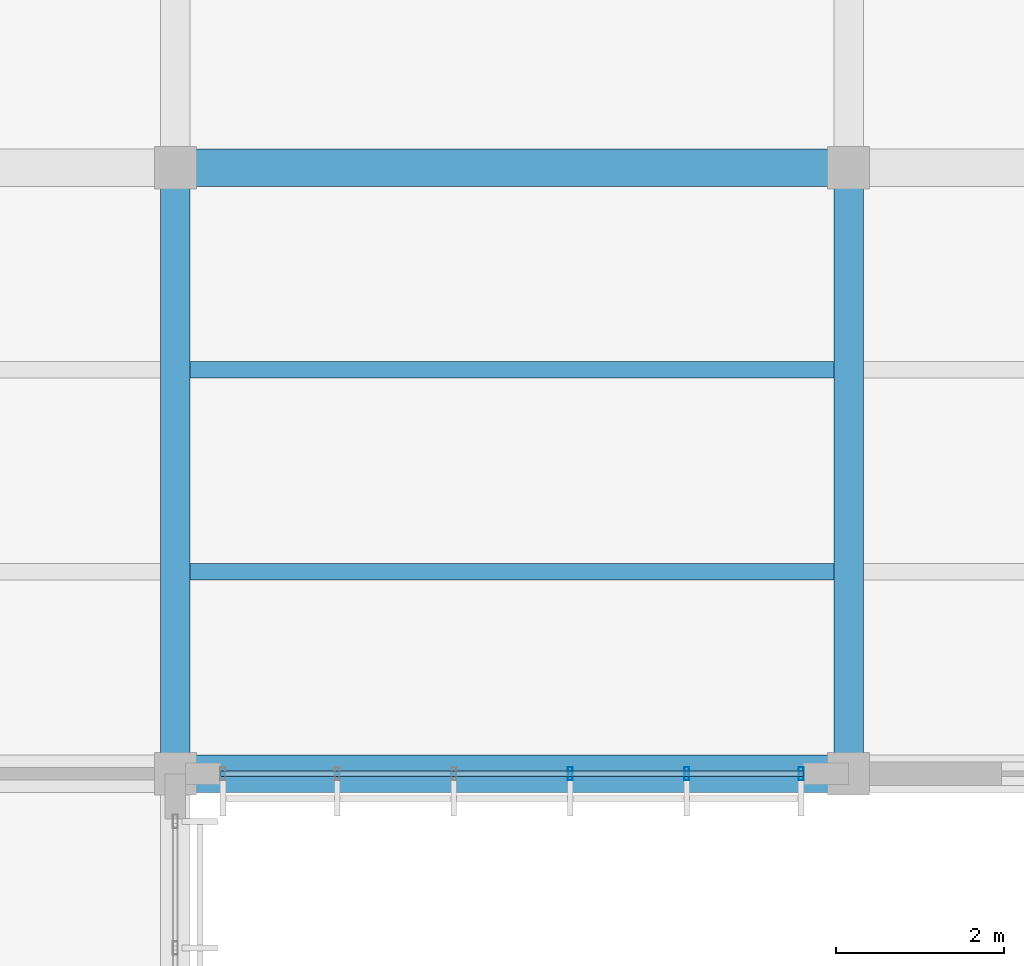
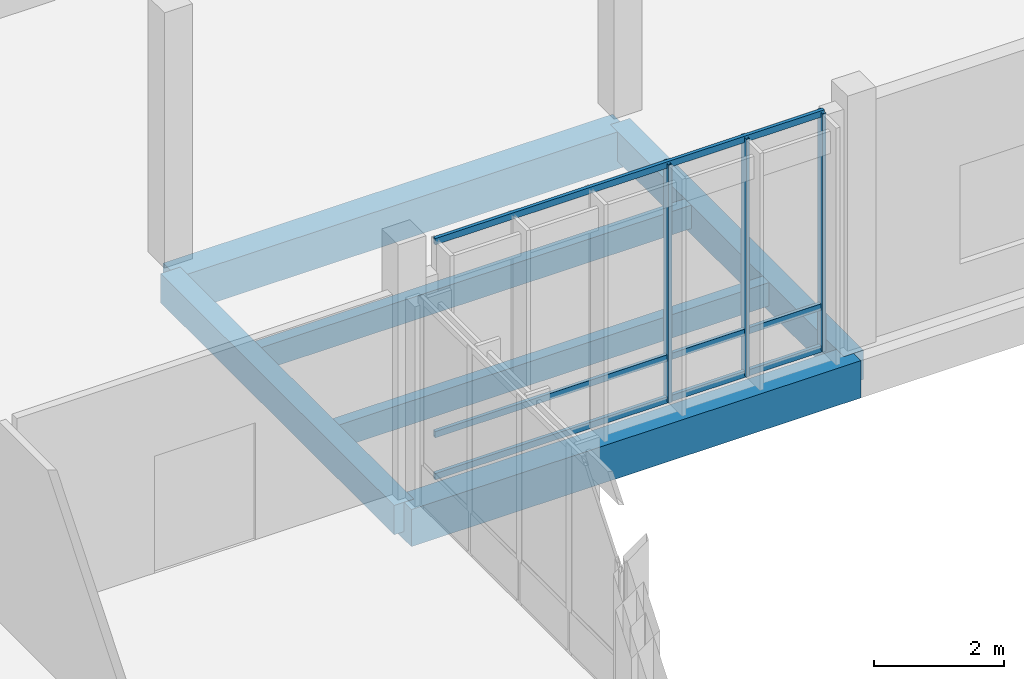
# One storey, part 69 of 177: 6 beams, 6 members, 1 element without a shape of its own.
"""IFC4 building model written with IfcOpenShell, lengths in metres."""

from ifc_helpers import new_model, si_unit, direction, frame, origin, origin_2d, place, context, subcontext, project, spatial, rectangle, hollow_rectangle, extrude, material, material_profile, profile_set, type_object, element, aggregate, save


model = new_model("IFC4")

# Units and contexts
model_context = context("Model", 3, precision=1e-05, world=origin(), true_north=direction((0.0, 1.0)))
body_context = subcontext(model_context, "Body", "Model", "MODEL_VIEW")
ifc_project = project(units=[si_unit("LENGTHUNIT", "METRE"), si_unit("AREAUNIT", "SQUARE_METRE"), si_unit("VOLUMEUNIT", "CUBIC_METRE"), si_unit("PLANEANGLEUNIT", "RADIAN"), si_unit("MASSUNIT", "GRAM", prefix="KILO")], contexts=[model_context])

# Site, building, storey
site_placement = place(None, origin())
site = spatial("IfcSite", under=ifc_project, at=site_placement, CompositionType="ELEMENT")
building_placement = place(site_placement, origin())
building = spatial("IfcBuilding", under=site, at=building_placement, Name="Chiffa Square Polytechnic", CompositionType="ELEMENT")
storey_placement = place(building_placement, frame((0.0, 0.0, 4.800048828125)))
storey = spatial("IfcBuildingStorey", under=building, at=storey_placement, Name="L01", CompositionType="ELEMENT", Elevation=4.800048828125)

# Beams
ifc_material_1 = material(Name="Concrete C35/45", Category="concrete")
ifc_material_profile_1 = material_profile(ifc_material_1, rectangle(XDim=0.35009765625, YDim=0.550048828125, at=origin_2d()), Name="RC 350x550")
ifc_profile_set_1 = profile_set([ifc_material_profile_1], Name="Concrete C35/45")
beam_type_1 = type_object("IfcBeamType", Name="BM-RC-350X550", PredefinedType="BEAM", material=ifc_profile_set_1)
for number, where, z_axis, x_axis, name in (
    (1, (32.0, 79.800048828125, -0.554931640625), (0.0, 1.0, 0.0), (-1.0, 0.0, 0.0), "Primary floor girder BM-V6-L01-Y-0320-0798"),
    (2, (40.0, 79.800048828125, -0.554931640625), (0.0, 1.0, 0.0), (-1.0, 0.0, 0.0), "Primary floor girder BM-V6-L01-Y-0400-0798"),
):
    element("IfcBeam", number, at=place(storey_placement, frame(where, z_axis=z_axis, x_axis=x_axis)), inside=storey, type_object=beam_type_1, Name=name, PredefinedType="BEAM", context=body_context, shape_type="SweptSolid", body=[
        extrude(rectangle(XDim=0.35009765625, YDim=0.550048828125, at=origin_2d()), origin(), (0.0, 0.0, 1.0), 7.199951171875),
    ])
ifc_material_profile_2 = material_profile(ifc_material_1, rectangle(XDim=0.449951171875, YDim=0.699951171875, at=origin_2d()), Name="RC 450x700")
ifc_profile_set_2 = profile_set([ifc_material_profile_2], Name="Concrete C35/45")
beam_type_2 = type_object("IfcBeamType", Name="BM-RC-450X700", PredefinedType="BEAM", material=ifc_profile_set_2)
for number, where, z_axis, x_axis, name in (
    (3, (32.0, 79.800048828125, -0.630126953125), (1.0, 0.0, 0.0), (0.0, 1.0, 0.0), "Primary floor girder BM-V6-L01-X-0320-0798"),
    (4, (32.0, 87.0, -0.630126953125), (1.0, 0.0, 0.0), (0.0, 1.0, 0.0), "Primary floor girder BM-V6-L01-X-0320-0870"),
):
    element("IfcBeam", number, at=place(storey_placement, frame(where, z_axis=z_axis, x_axis=x_axis)), inside=storey, type_object=beam_type_2, Name=name, PredefinedType="BEAM", context=body_context, shape_type="SweptSolid", body=[
        extrude(rectangle(XDim=0.449951171875, YDim=0.699951171875, at=origin_2d()), origin(), (0.0, 0.0, 1.0), 8.0),
    ])

# Curtain wall, members
ifc_material_2 = material(Name="Aluminium EN AW-6060 T66 and glulam shading", Category="wood")
curtain_wall_type = type_object("IfcCurtainWallType", Name="CW-VERT-600X440", PredefinedType="USERDEFINED", material=ifc_material_2)
curtain_wall_placement = place(storey_placement, origin())
curtain_wall = element("IfcCurtainWall", 5, at=curtain_wall_placement, inside=storey, type_object=curtain_wall_type, Name="Curtain wall CW-V6-L01-257", ObjectType="CURTAIN WALL", PredefinedType="USERDEFINED")
ifc_material_3 = material(Name="Aluminium EN AW-6060 T66", Category="aluminium")
ifc_material_profile_3 = material_profile(ifc_material_3, hollow_rectangle(XDim=0.06005859375, YDim=0.159912109375, WallThickness=0.00390625, at=origin_2d()), Name="ALU 60x160x4")
ifc_profile_set_3 = profile_set([ifc_material_profile_3], Name="Aluminium EN AW-6060 T66")
member_type_1 = type_object("IfcMemberType", Name="CWM-ALU-65X150", PredefinedType="MULLION", material=ifc_profile_set_3)
member_1_placement = place(storey_placement, frame((36.69189453125, 79.800048828125, 0.0), z_axis=(0.0, 0.0, 1.0), x_axis=(1.0, 0.0, 0.0)))
member_1 = element("IfcMember", 6, at=member_1_placement, type_object=member_type_1, Name="Curtain wall mullion CW-V6-L01-257-M03", PredefinedType="MULLION", context=body_context, shape_type="SweptSolid", body=[
    extrude(hollow_rectangle(XDim=0.06005859375, YDim=0.159912109375, WallThickness=0.00390625, at=origin_2d()), origin(), (0.0, 0.0, 1.0), 4.47998046875),
])
member_2_placement = place(storey_placement, frame((38.075927734375, 79.800048828125, 0.0), z_axis=(0.0, 0.0, 1.0), x_axis=(1.0, 0.0, 0.0)))
member_2 = element("IfcMember", 7, at=member_2_placement, type_object=member_type_1, Name="Curtain wall mullion CW-V6-L01-257-M04", PredefinedType="MULLION", context=body_context, shape_type="SweptSolid", body=[
    extrude(hollow_rectangle(XDim=0.06005859375, YDim=0.159912109375, WallThickness=0.00390625, at=origin_2d()), origin(), (0.0, 0.0, 1.0), 4.47998046875),
])
member_3_placement = place(storey_placement, frame((39.43505859375, 79.800048828125, 0.0), z_axis=(0.0, 0.0, 1.0), x_axis=(1.0, 0.0, 0.0)))
member_3 = element("IfcMember", 8, at=member_3_placement, type_object=member_type_1, Name="Curtain wall mullion CW-V6-L01-257-M05", PredefinedType="MULLION", context=body_context, shape_type="SweptSolid", body=[
    extrude(hollow_rectangle(XDim=0.06005859375, YDim=0.159912109375, WallThickness=0.00390625, at=origin_2d()), origin(), (0.0, 0.0, 1.0), 4.47998046875),
])
ifc_material_profile_4 = material_profile(ifc_material_3, hollow_rectangle(XDim=0.06005859375, YDim=0.1201171875, WallThickness=0.00390625, at=origin_2d()), Name="ALU 60x120x4")
ifc_profile_set_4 = profile_set([ifc_material_profile_4], Name="Aluminium EN AW-6060 T66")
member_type_2 = type_object("IfcMemberType", Name="CWT-ALU-65X120", PredefinedType="USERDEFINED", material=ifc_profile_set_4)
member_4_placement = place(storey_placement, frame((32.5380859375, 79.800048828125, 0.030029296875), z_axis=(1.0, 0.0, 0.0), x_axis=(0.0, 1.0, 0.0)))
member_4 = element("IfcMember", 9, at=member_4_placement, type_object=member_type_2, Name="Curtain wall transom CW-V6-L01-257-T01", ObjectType="TRANSOM", PredefinedType="USERDEFINED", context=body_context, shape_type="SweptSolid", body=[
    extrude(hollow_rectangle(XDim=0.06005859375, YDim=0.1201171875, WallThickness=0.00390625, at=origin_2d()), origin(), (0.0, 0.0, 1.0), 6.923828125),
])
member_5_placement = place(storey_placement, frame((32.5380859375, 79.800048828125, 0.820068359375), z_axis=(1.0, 0.0, 0.0), x_axis=(0.0, 1.0, 0.0)))
member_5 = element("IfcMember", 10, at=member_5_placement, type_object=member_type_2, Name="Curtain wall transom CW-V6-L01-257-T02", ObjectType="TRANSOM", PredefinedType="USERDEFINED", context=body_context, shape_type="SweptSolid", body=[
    extrude(hollow_rectangle(XDim=0.06005859375, YDim=0.1201171875, WallThickness=0.00390625, at=origin_2d()), origin(), (0.0, 0.0, 1.0), 6.923828125),
])
member_6_placement = place(storey_placement, frame((32.5380859375, 79.800048828125, 4.449951171875), z_axis=(1.0, 0.0, 0.0), x_axis=(0.0, 1.0, 0.0)))
member_6 = element("IfcMember", 11, at=member_6_placement, type_object=member_type_2, Name="Curtain wall transom CW-V6-L01-257-T03", ObjectType="TRANSOM", PredefinedType="USERDEFINED", context=body_context, shape_type="SweptSolid", body=[
    extrude(hollow_rectangle(XDim=0.06005859375, YDim=0.1201171875, WallThickness=0.00390625, at=origin_2d()), origin(), (0.0, 0.0, 1.0), 6.923828125),
])
aggregate(curtain_wall, [member_1, member_2, member_3, member_4, member_5, member_6])

# Beams
ifc_material_4 = material(Name="Glulam GL28h", Category="wood")
ifc_material_profile_5 = material_profile(ifc_material_4, rectangle(XDim=0.199951171875, YDim=0.43994140625, at=origin_2d()), Name="GL28h 200x440")
ifc_profile_set_5 = profile_set([ifc_material_profile_5], Name="Glulam GL28h")
beam_type_3 = type_object("IfcBeamType", Name="JST-GL-200X440", PredefinedType="JOIST", material=ifc_profile_set_5)
for number, where, z_axis, x_axis, name in (
    (12, (32.173095703125, 82.199951171875, -0.5), (1.0, 0.0, 0.0), (0.0, 1.0, 0.0), "Secondary floor joist JST-V6-L01-0320-0822"),
    (13, (32.173095703125, 84.60009765625, -0.5), (1.0, 0.0, 0.0), (0.0, 1.0, 0.0), "Secondary floor joist JST-V6-L01-0320-0846"),
):
    element("IfcBeam", number, at=place(storey_placement, frame(where, z_axis=z_axis, x_axis=x_axis)), inside=storey, type_object=beam_type_3, Name=name, PredefinedType="JOIST", context=body_context, shape_type="SweptSolid", body=[
        extrude(rectangle(XDim=0.199951171875, YDim=0.43994140625, at=origin_2d()), origin(), (0.0, 0.0, 1.0), 7.65380859375),
    ])

save(model, "model.ifc")
